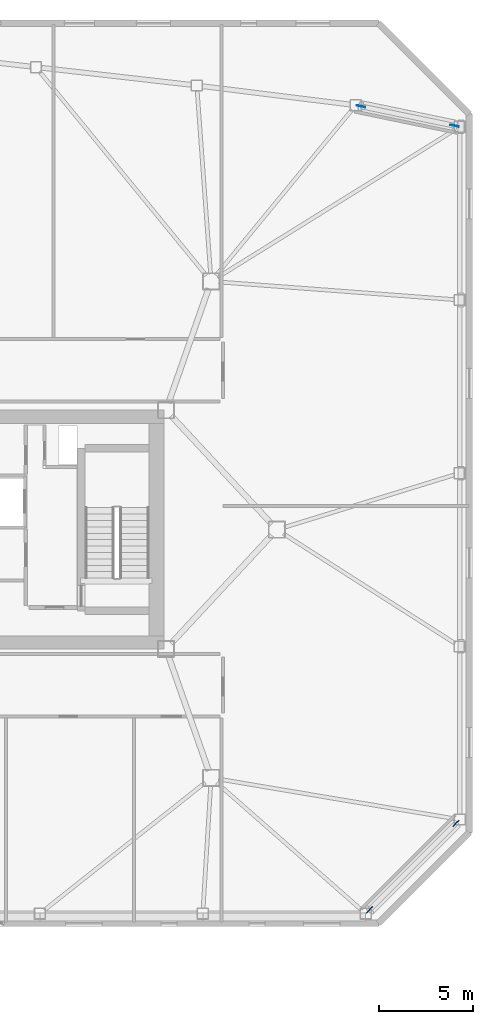
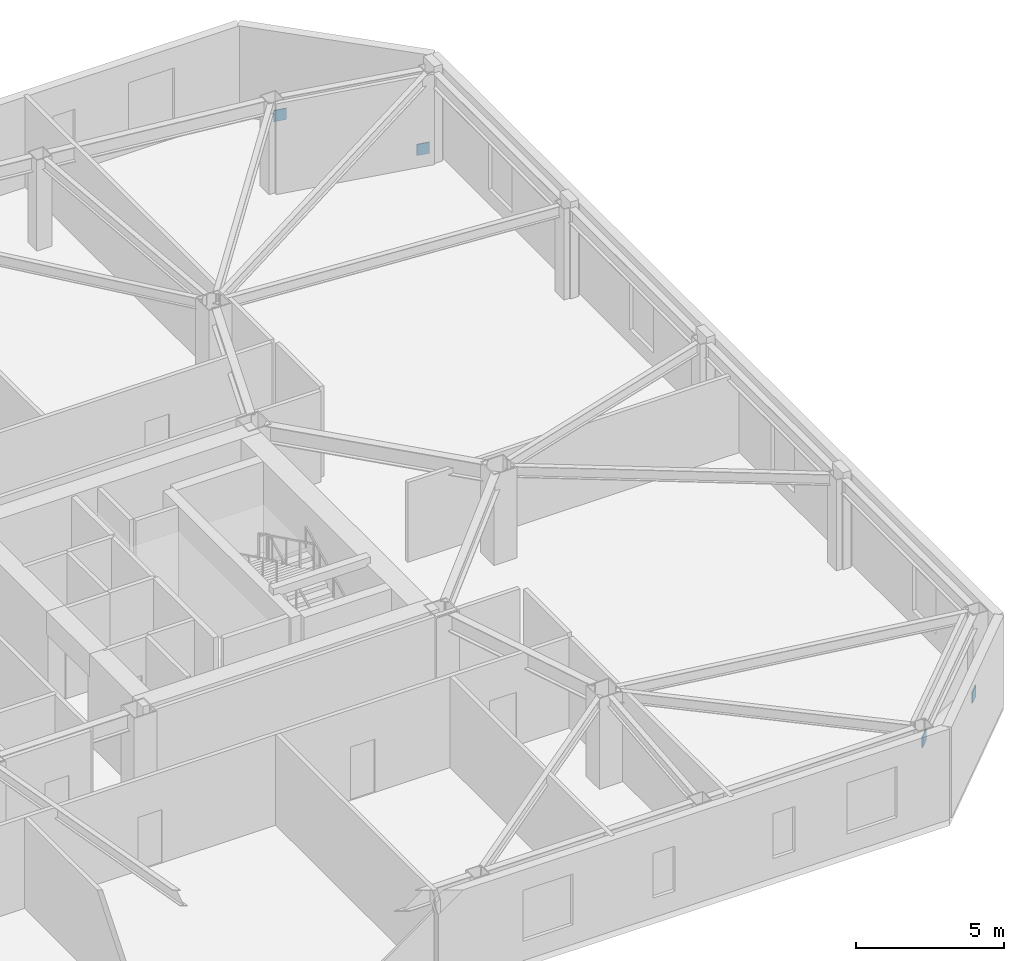
# One storey, part 15 of 16: 4 discrete accessories.
"""IFC4 building model written with IfcOpenShell, lengths in metres."""

import ifcopenshell
import ifcopenshell.guid

model = None  # the IFC model being written
_history = None  # IfcOwnerHistory: only IFC2X3 demands one
_inside = {}  # id of a spatial element -> (the spatial element, [elements in it])
_under = {}  # id of a project, library or spatial element -> (it, [spatial elements below it])
_declared = {}  # id of a project -> (the project, [libraries it declares])
_typed = {}  # id of a type object -> (the type object, [elements of that type])
_made_of = {}  # id of a material, layer set ... -> (it, [elements and type objects made of it])


def new_model(schema):
    """Start an empty IFC model of exactly this schema.

    Asked for "IFC4X3", IfcOpenShell would pick the latest addendum, in which some entities
    have other attributes; the version numbers below select the first issue.
    IFC2X3 requires an IfcOwnerHistory on every rooted entity: one is made here for all.
    """
    global model, _history
    if schema == "IFC4X3":
        model = ifcopenshell.file(schema_version=(4, 3, 0, 0))
    else:
        model = ifcopenshell.file(schema=schema)
    _inside.clear()
    _under.clear()
    _declared.clear()
    _typed.clear()
    _made_of.clear()
    _history = None
    if model.schema == "IFC2X3":
        org = make("IfcOrganization", Name="unknown")
        user = make(
            "IfcPersonAndOrganization",
            ThePerson=make("IfcPerson", FamilyName="unknown"),
            TheOrganization=org,
        )
        app = make(
            "IfcApplication",
            ApplicationDeveloper=org,
            Version="unknown",
            ApplicationFullName="unknown",
            ApplicationIdentifier="unknown",
        )
        _history = make(
            "IfcOwnerHistory",
            OwningUser=user,
            OwningApplication=app,
            ChangeAction="ADDED",
            CreationDate=0,
        )
    return model


def make(cls, **values):
    """One entity of the class cls with the attributes given. An attribute that is None is left unset."""
    return model.create_entity(
        cls, **{name: value for name, value in values.items() if value is not None}
    )


def rooted(cls, **values):
    """An entity with a GlobalId (a new one), such as an element, a storey or a relation."""
    return make(cls, GlobalId=ifcopenshell.guid.new(), OwnerHistory=_history, **values)


def si_unit(unit_type, name, prefix=None):
    """IfcSIUnit, for example si_unit("LENGTHUNIT", "METRE", prefix="MILLI")."""
    return make("IfcSIUnit", UnitType=unit_type, Prefix=prefix, Name=name)


def assignment(units):
    """IfcUnitAssignment: the units of a project."""
    return None if units is None else make("IfcUnitAssignment", Units=units)


def point(xyz):
    """IfcCartesianPoint."""
    return None if xyz is None else make("IfcCartesianPoint", Coordinates=xyz)


def direction(xyz):
    """IfcDirection."""
    return None if xyz is None else make("IfcDirection", DirectionRatios=xyz)


def frame(location, z_axis=None, x_axis=None):
    """IfcAxis2Placement3D, a coordinate frame: its origin and axes. An axis left out is left unset."""
    return make(
        "IfcAxis2Placement3D",
        Location=point(location),
        Axis=direction(z_axis),
        RefDirection=direction(x_axis),
    )


def frame_2d(location, x_axis=None):
    """IfcAxis2Placement2D, a coordinate frame in the plane: its origin and x axis."""
    return make(
        "IfcAxis2Placement2D", Location=point(location), RefDirection=direction(x_axis)
    )


def origin():
    """The frame at (0, 0, 0) with its axes left unset."""
    return frame((0.0, 0.0, 0.0))


def origin_2d():
    """The frame at (0, 0) in the plane with its x axis left unset."""
    return frame_2d((0.0, 0.0))


def place(relative_to, where):
    """IfcLocalPlacement: puts the frame where relative to a parent placement (None: the world)."""
    return make(
        "IfcLocalPlacement", PlacementRelTo=relative_to, RelativePlacement=where
    )


def context(
    kind, dimensions, precision=None, world=None, true_north=None, identifier=None
):
    """IfcGeometricRepresentationContext, for example the 3D "Model" context."""
    return make(
        "IfcGeometricRepresentationContext",
        ContextIdentifier=identifier,
        ContextType=kind,
        CoordinateSpaceDimension=dimensions,
        Precision=precision,
        WorldCoordinateSystem=world,
        TrueNorth=true_north,
    )


def subcontext(parent, identifier, kind, view, scale=None):
    """IfcGeometricRepresentationSubContext, for example "Body" below "Model"."""
    return make(
        "IfcGeometricRepresentationSubContext",
        ContextIdentifier=identifier,
        ContextType=kind,
        ParentContext=parent,
        TargetScale=scale,
        TargetView=view,
    )


def project(units=None, contexts=None):
    """IfcProject with its units and contexts."""
    return rooted(
        "IfcProject",
        Name="project",
        RepresentationContexts=contexts,
        UnitsInContext=assignment(units),
    )


def spatial(cls, under=None, at=None, **own):
    """A site, building, storey or space (cls), placed at a placement, below another one or the project."""
    s = rooted(cls, ObjectPlacement=at, **own)
    if under is not None:
        _under.setdefault(under.id(), (under, []))[1].append(s)
    return s


def profile(cls, at=None, kind="AREA", **sizes):
    """A parametric profile (cls). Its sizes go by their IFC names, for example OverallWidth=200.0."""
    return make(cls, ProfileType=kind, Position=at, **sizes)


def rectangle(**sizes):
    """IfcRectangleProfileDef."""
    return profile("IfcRectangleProfileDef", **sizes)


def extrude(swept, where, along, depth):
    """IfcExtrudedAreaSolid: the profile swept, set in the frame where, extruded along a direction by depth."""
    return make(
        "IfcExtrudedAreaSolid",
        SweptArea=swept,
        Position=where,
        ExtrudedDirection=direction(along),
        Depth=depth,
    )


def shape(context_of_items, identifier, shape_type, items):
    """IfcShapeRepresentation: the items that make up one representation, for example the "Body"."""
    return make(
        "IfcShapeRepresentation",
        ContextOfItems=context_of_items,
        RepresentationIdentifier=identifier,
        RepresentationType=shape_type,
        Items=items,
    )


def material(Name=None, Category=None):
    """IfcMaterial."""
    return make("IfcMaterial", Name=Name, Category=Category)


def made_of(thing, what):
    """Note that an element or type object is made of a material, layer set ...; save() writes the relation."""
    if what is not None:
        _made_of.setdefault(what.id(), (what, []))[1].append(thing)
    return thing


def type_object(cls, material=None, **own):
    """A type object (cls), such as IfcWallType, which elements share."""
    return made_of(rooted(cls, **own), material)


def element(
    cls,
    number,
    at=None,
    inside=None,
    cuts=None,
    type_object=None,
    material=None,
    context=None,
    identifier="Body",
    shape_type=None,
    held_by="IfcProductDefinitionShape",
    body=None,
    shapes=None,
    **own,
):
    """One element of the class cls, such as IfcWall. Its Tag is "e" and its number.

    at: its placement. inside: the storey or other place that contains it. cuts: it is an
    opening in that element (IfcRelVoidsElement). A single representation is given by context,
    identifier, shape_type and body (its items); several are given by shapes. held_by: the class
    of the entity that holds the representations. save() writes the other relations.
    """
    e = rooted(cls, Tag="e%d" % number, ObjectPlacement=at, **own)
    if body is not None:
        shapes = [shape(context, identifier, shape_type, body)]
    if shapes is not None:
        e.Representation = make(held_by, Representations=shapes)
    if inside is not None:
        _inside.setdefault(inside.id(), (inside, []))[1].append(e)
    if cuts is not None:
        rooted(
            "IfcRelVoidsElement", RelatingBuildingElement=cuts, RelatedOpeningElement=e
        )
    if type_object is not None:
        _typed.setdefault(type_object.id(), (type_object, []))[1].append(e)
    return made_of(e, material)


def aggregate(whole, parts):
    """IfcRelAggregates: a whole, such as a stair, and the parts it consists of."""
    return rooted("IfcRelAggregates", RelatingObject=whole, RelatedObjects=parts)


def save(model, path):
    """Write the relations noted so far, then the file.

    IfcRelAggregates (storeys below a building ...), IfcRelContainedInSpatialStructure (elements
    in a storey), IfcRelDefinesByType, IfcRelAssociatesMaterial and IfcRelDeclares: one each for
    every whole, place, type object, material and project.
    """
    for whole, parts in _under.values():
        aggregate(whole, parts)
    for where, things in _inside.values():
        rooted(
            "IfcRelContainedInSpatialStructure",
            RelatedElements=things,
            RelatingStructure=where,
        )
    for kind, things in _typed.values():
        rooted("IfcRelDefinesByType", RelatedObjects=things, RelatingType=kind)
    for what, things in _made_of.values():
        rooted("IfcRelAssociatesMaterial", RelatedObjects=things, RelatingMaterial=what)
    for by, libraries in _declared.values():
        rooted("IfcRelDeclares", RelatingContext=by, RelatedDefinitions=libraries)
    model.write(path)


model = new_model("IFC4")

# Units and contexts
model_context = context("Model", 3, precision=1e-05, world=origin(), true_north=direction((0.0, 1.0)))
body_context = subcontext(model_context, "Body", "Model", "MODEL_VIEW")
ifc_project = project(units=[si_unit("LENGTHUNIT", "METRE"), si_unit("AREAUNIT", "SQUARE_METRE"), si_unit("VOLUMEUNIT", "CUBIC_METRE"), si_unit("PLANEANGLEUNIT", "RADIAN"), si_unit("MASSUNIT", "GRAM", prefix="KILO")], contexts=[model_context])

# Site, building, storey
site_placement = place(None, origin())
site = spatial("IfcSite", under=ifc_project, at=site_placement, CompositionType="ELEMENT")
building_placement = place(site_placement, origin())
building = spatial("IfcBuilding", under=site, at=building_placement, Name="Tavrogorsk Clinical Tower", CompositionType="ELEMENT")
storey_placement = place(building_placement, frame((0.0, 0.0, 164.199951171875)))
storey = spatial("IfcBuildingStorey", under=building, at=storey_placement, Name="L37", CompositionType="ELEMENT", Elevation=164.199951171875)

# Discrete accessories
ifc_material = material(Name="Structural steel S440", Category="steel")
discrete_accessory_type = type_object("IfcDiscreteAccessoryType", Name="GussetPlateBracket_25", PredefinedType="BRACKET", material=ifc_material)
for number, where, z_axis, x_axis, name in (
    (1, (37.517333984375, -15.62255859375, 0.18310546875), (0.0, 0.0, 1.0), (-0.707106781187, -0.707106781187, 0.0), "L37 Brace Gusset Plate EXOCRN-L37-1-A"),
    (2, (32.922607421875, -20.217529296875, 2.7470703125), (0.0, 0.0, 1.0), (-0.707106781187, -0.707106781187, 0.0), "L37 Brace Gusset Plate EXOCRN-L37-1-B"),
    (3, (37.44970703125, 21.47607421875, 0.20654296875), (0.0, 0.0, 1.0), (-0.979187402648, 0.202958198889, 0.0), "L37 Brace Gusset Plate EXOCRN-L37-2-A"),
    (4, (32.461669921875, 22.509765625, 2.7236328125), (0.0, 0.0, 1.0), (-0.979187402648, 0.202958198889, 0.0), "L37 Brace Gusset Plate EXOCRN-L37-2-B"),
):
    element("IfcDiscreteAccessory", number, at=place(storey_placement, frame(where, z_axis=z_axis, x_axis=x_axis)), inside=storey, type_object=discrete_accessory_type, Name=name, PredefinedType="BRACKET", context=body_context, shape_type="SweptSolid", body=[
        extrude(rectangle(XDim=0.4599609375, YDim=0.0400390625, at=origin_2d()), origin(), (0.0, 0.0, 1.0), 0.4599609375),
    ])

save(model, "model.ifc")
